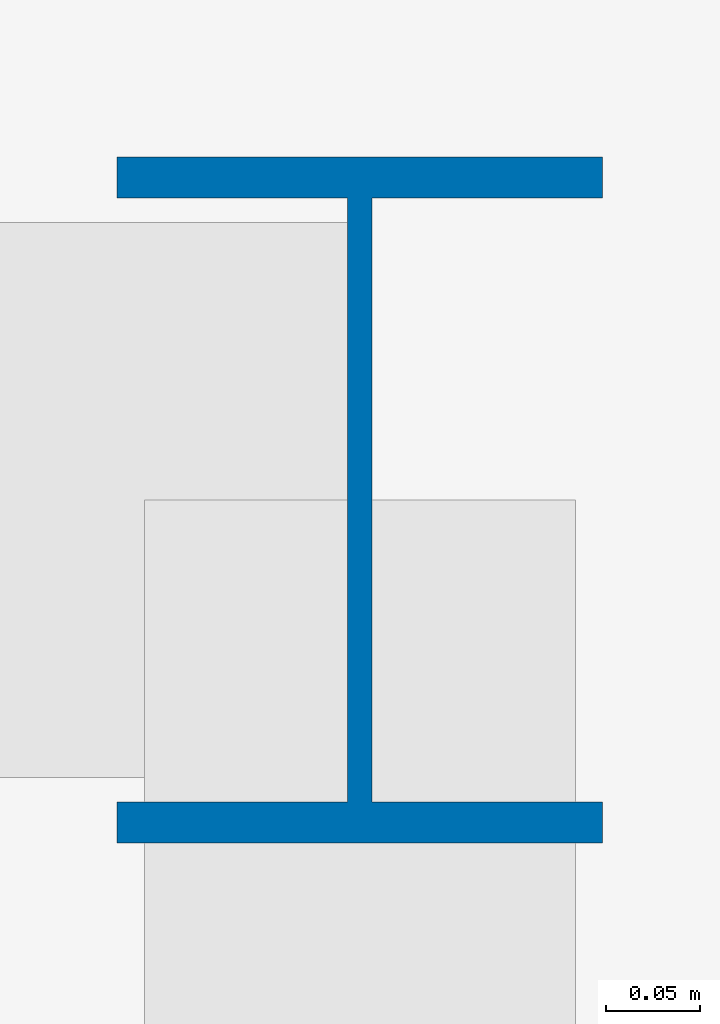
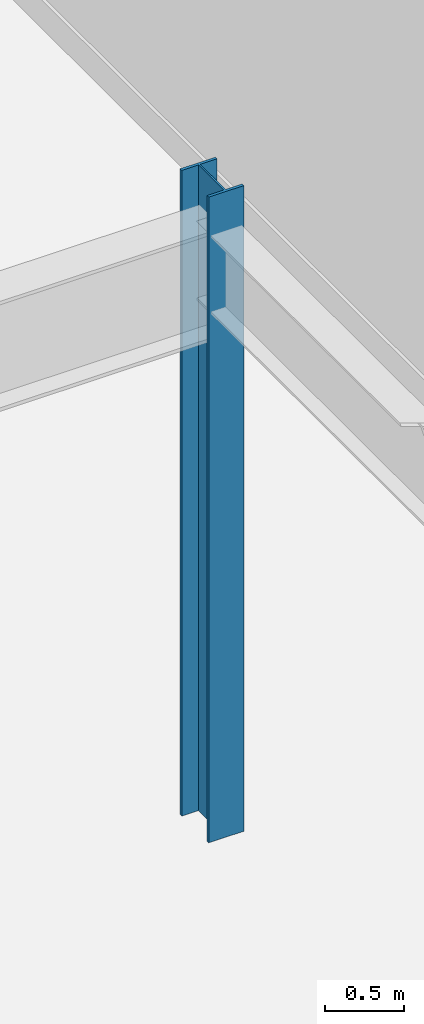
# One storey, part 5 of 39: 1 column.
"""IFC4 building model written with IfcOpenShell, lengths in metres."""

from ifc_helpers import new_model, si_unit, derived_unit, direction, frame, origin, origin_2d, place, context, subcontext, project, spatial, i_section, extrude, source, transform, mapped, material, material_profile, profile_set, type_object, element, save


model = new_model("IFC4")

# Units and contexts
model_context = context("Model", 3, precision=1e-05, world=origin(), true_north=direction((0.0, 1.0)))
body_context = subcontext(model_context, "Body", "Model", "MODEL_VIEW")
ifc_project = project(units=[si_unit("LENGTHUNIT", "METRE"), si_unit("AREAUNIT", "SQUARE_METRE"), si_unit("VOLUMEUNIT", "CUBIC_METRE"), si_unit("PLANEANGLEUNIT", "RADIAN"), si_unit("MASSUNIT", "GRAM", prefix="KILO"), derived_unit("THERMALTRANSMITTANCEUNIT", [(si_unit("POWERUNIT", "WATT"), 1), (si_unit("LENGTHUNIT", "METRE"), -2), (si_unit("THERMODYNAMICTEMPERATUREUNIT", "KELVIN"), -1)])], contexts=[model_context])

# Site, building, storey
site_placement = place(None, origin())
site = spatial("IfcSite", under=ifc_project, at=site_placement, CompositionType="ELEMENT")
building_placement = place(site_placement, origin())
building = spatial("IfcBuilding", under=site, at=building_placement, Name="Skarnbrae Concourse Arena and Tower", CompositionType="ELEMENT")
storey_placement = place(building_placement, frame((0.0, 0.0, 16.0)))
storey = spatial("IfcBuildingStorey", under=building, at=storey_placement, Name="L03", CompositionType="ELEMENT", Elevation=16.0)

# Column
ifc_material = material(Name="Steel CSA G40.21 350W", Category="steel")
ifc_material_profile = material_profile(ifc_material, i_section(OverallWidth=0.257080078125, OverallDepth=0.363037109375, WebThickness=0.012939453125, FlangeThickness=0.021728515625, at=origin_2d()), Name="W360X122")
ifc_profile_set = profile_set([ifc_material_profile], Name="Steel CSA G40.21 350W")
column_type = type_object("IfcColumnType", Name="COL-POD-W360X122", PredefinedType="COLUMN", material=ifc_profile_set)
shared_shape = source(origin(), body_context, "Body", "SweptSolid", [
    extrude(i_section(OverallWidth=0.257080078125, OverallDepth=0.363037109375, WebThickness=0.012939453125, FlangeThickness=0.021728515625, at=origin_2d()), origin(), (0.0, 0.0, 1.0), 5.0),
])
column_placement = place(storey_placement, frame((78.5, 47.0, 0.0), z_axis=(0.0, 0.0, 1.0), x_axis=(1.0, 0.0, 0.0)))
element("IfcColumn", 1, at=column_placement, inside=storey, type_object=column_type, Name="L03 Podium mega-column PC-EP4", PredefinedType="COLUMN", context=body_context, shape_type="MappedRepresentation", body=[
    mapped(shared_shape, transform((0.0, 0.0, 0.0))),
])

save(model, "model.ifc")
